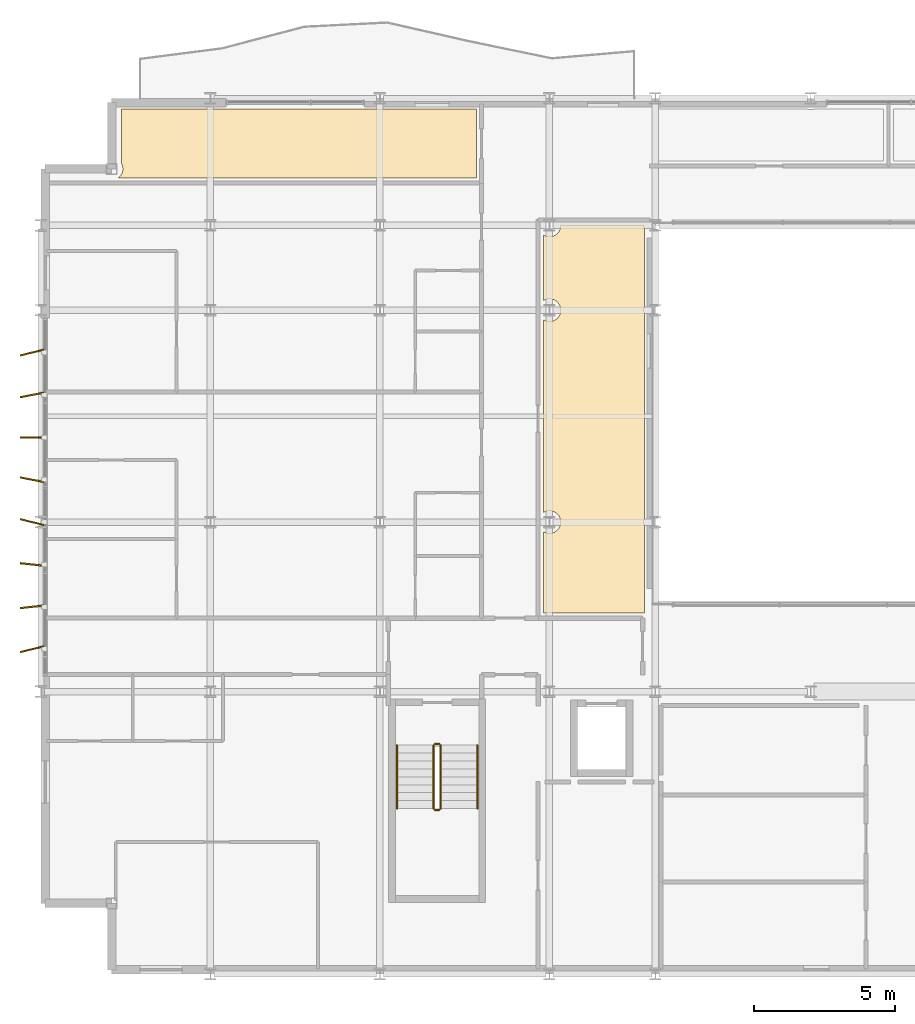
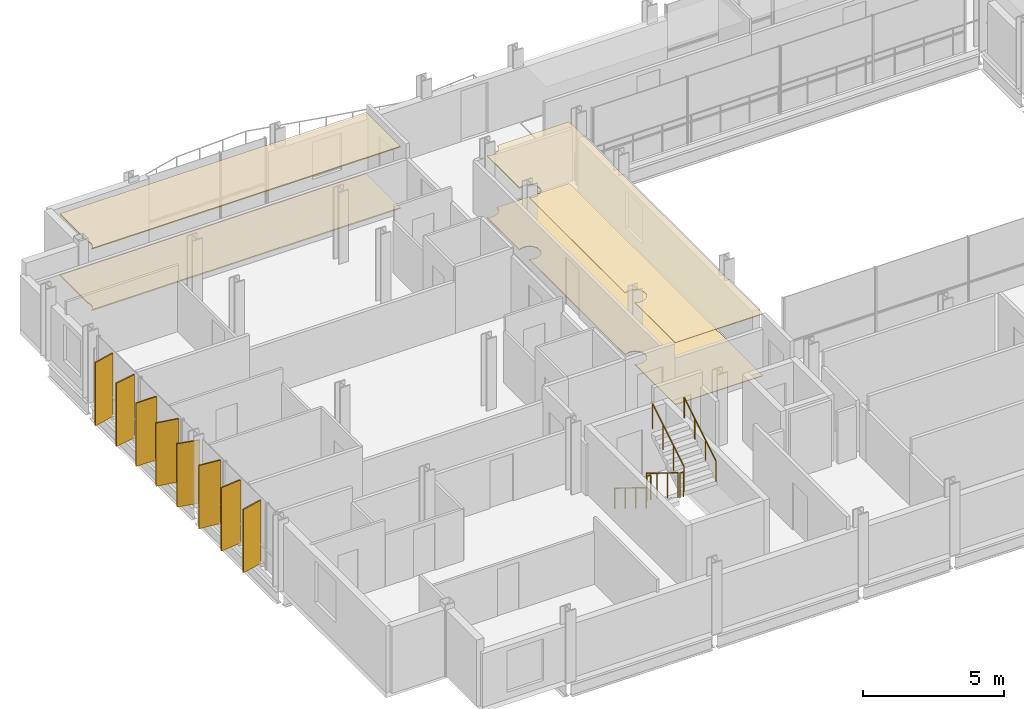
# One storey, part 36 of 38: 8 shading devices, 6 railings, 4 coverings.
"""IFC4 building model written with IfcOpenShell, lengths in metres."""

from ifc_helpers import new_model, si_unit, direction, frame, origin, origin_2d, place, context, subcontext, project, spatial, polyline, rectangle, circle, outline, extrude, material, layer, layer_set, type_object, element, save


model = new_model("IFC4")

# Units and contexts
model_context = context("Model", 3, precision=1e-05, world=origin(), true_north=direction((0.0, 1.0)))
body_context = subcontext(model_context, "Body", "Model", "MODEL_VIEW")
ifc_project = project(units=[si_unit("LENGTHUNIT", "METRE"), si_unit("AREAUNIT", "SQUARE_METRE"), si_unit("VOLUMEUNIT", "CUBIC_METRE"), si_unit("PLANEANGLEUNIT", "RADIAN"), si_unit("MASSUNIT", "GRAM", prefix="KILO")], contexts=[model_context])

# Site, building, storey
site_placement = place(None, origin())
site = spatial("IfcSite", under=ifc_project, at=site_placement, CompositionType="ELEMENT")
building_placement = place(site_placement, origin())
building = spatial("IfcBuilding", under=site, at=building_placement, Name="Brevholm Reach", CompositionType="ELEMENT")
storey_placement = place(building_placement, frame((0.0, 0.0, 166.60009765625)))
storey = spatial("IfcBuildingStorey", under=building, at=storey_placement, Name="L50", CompositionType="ELEMENT", Elevation=166.60009765625)

# Coverings
ifc_material_1 = material(Name="Perforated Mineral-Fibre Class-A Acoustic Suspended Ceiling", Category="gypsum")
ifc_layer_1 = layer(ifc_material_1, 0.044921875)
ifc_layer_set_1 = layer_set([ifc_layer_1], Name="Perforated Mineral-Fibre Class-A Acoustic Suspended Ceiling")
covering_type_1 = type_object("IfcCoveringType", Name="COV-CLG-AC", PredefinedType="CEILING", material=ifc_layer_set_1)
covering_1_placement = place(storey_placement, frame((0.0, 0.0, 2.664794921875)))
element("IfcCovering", 1, at=covering_1_placement, inside=storey, type_object=covering_type_1, Name="L50 Suspended Ceiling L50-54", PredefinedType="CEILING", context=body_context, shape_type="SweptSolid", body=[
    extrude(outline(polyline([(2.860107421875, 30.6201171875), (5.876220703125, 30.6201171875), (5.8837890625, 30.6171875), (5.922119140625, 30.607666015625), (5.960693359375, 30.601806640625), (6.0, 30.60009765625), (6.039306640625, 30.601806640625), (6.077880859375, 30.607666015625), (6.1162109375, 30.6171875), (6.123779296875, 30.6201171875), (11.876220703125, 30.6201171875), (11.8837890625, 30.6171875), (11.922119140625, 30.607666015625), (11.960693359375, 30.601806640625), (12.0, 30.60009765625), (12.039306640625, 30.601806640625), (12.077880859375, 30.607666015625), (12.1162109375, 30.6171875), (12.123779296875, 30.6201171875), (15.416015625, 30.6201171875), (15.416015625, 28.18408203125), (2.74462890625, 28.18408203125), (2.75390625, 28.19091796875), (2.78271484375, 28.21728515625), (2.80908203125, 28.24609375), (2.83251953125, 28.27783203125), (2.852783203125, 28.311279296875), (2.86962890625, 28.346923828125), (2.8828125, 28.3837890625), (2.892333984375, 28.422119140625), (2.898193359375, 28.460693359375), (2.89990234375, 28.5), (2.898193359375, 28.539306640625), (2.892333984375, 28.577880859375), (2.8828125, 28.6162109375), (2.86962890625, 28.653076171875), (2.860107421875, 28.67333984375), (2.860107421875, 30.6201171875)])), origin(), (0.0, 0.0, 1.0), 0.045166015625),
])
ifc_material_2 = material(Name="Moisture-Resistant Skimmed Gypsum Plasterboard Ceiling", Category="gypsum")
ifc_layer_2 = layer(ifc_material_2, 0.030029296875)
ifc_layer_set_2 = layer_set([ifc_layer_2], Name="Moisture-Resistant Skimmed Gypsum Plasterboard Ceiling")
covering_type_2 = type_object("IfcCoveringType", Name="COV-CLG-GYP", PredefinedType="CEILING", material=ifc_layer_set_2)
covering_2_placement = place(storey_placement, frame((0.0, 0.0, 2.679931640625)))
element("IfcCovering", 2, at=covering_2_placement, inside=storey, type_object=covering_type_2, Name="L50 Suspended Ceiling L50-52", PredefinedType="CEILING", context=body_context, shape_type="SweptSolid", body=[
    extrude(outline(polyline([(21.3701171875, 23.623779296875), (21.3671875, 23.6162109375), (21.357666015625, 23.577880859375), (21.351806640625, 23.539306640625), (21.35009765625, 23.5), (21.351806640625, 23.460693359375), (21.357666015625, 23.422119140625), (21.3671875, 23.3837890625), (21.3701171875, 23.376220703125), (21.3701171875, 16.123779296875), (21.3671875, 16.1162109375), (21.357666015625, 16.077880859375), (21.351806640625, 16.039306640625), (21.35009765625, 16.0), (21.351806640625, 15.960693359375), (21.357666015625, 15.922119140625), (21.3671875, 15.8837890625), (21.3701171875, 15.876220703125), (21.3701171875, 12.783935546875), (17.783935546875, 12.783935546875), (17.783935546875, 15.663818359375), (17.811279296875, 15.647216796875), (17.846923828125, 15.63037109375), (17.8837890625, 15.6171875), (17.922119140625, 15.607666015625), (17.960693359375, 15.601806640625), (18.0, 15.60009765625), (18.039306640625, 15.601806640625), (18.077880859375, 15.607666015625), (18.1162109375, 15.6171875), (18.153076171875, 15.63037109375), (18.188720703125, 15.647216796875), (18.22216796875, 15.66748046875), (18.25390625, 15.69091796875), (18.28271484375, 15.71728515625), (18.30908203125, 15.74609375), (18.33251953125, 15.77783203125), (18.352783203125, 15.811279296875), (18.36962890625, 15.846923828125), (18.3828125, 15.8837890625), (18.392333984375, 15.922119140625), (18.398193359375, 15.960693359375), (18.39990234375, 16.0), (18.398193359375, 16.039306640625), (18.392333984375, 16.077880859375), (18.3828125, 16.1162109375), (18.36962890625, 16.153076171875), (18.352783203125, 16.188720703125), (18.33251953125, 16.22216796875), (18.30908203125, 16.25390625), (18.28271484375, 16.28271484375), (18.25390625, 16.30908203125), (18.22216796875, 16.33251953125), (18.188720703125, 16.352783203125), (18.153076171875, 16.36962890625), (18.1162109375, 16.3828125), (18.077880859375, 16.392333984375), (18.039306640625, 16.398193359375), (18.0, 16.39990234375), (17.960693359375, 16.398193359375), (17.922119140625, 16.392333984375), (17.8837890625, 16.3828125), (17.846923828125, 16.36962890625), (17.811279296875, 16.352783203125), (17.783935546875, 16.336181640625), (17.783935546875, 23.163818359375), (17.811279296875, 23.147216796875), (17.846923828125, 23.13037109375), (17.8837890625, 23.1171875), (17.922119140625, 23.107666015625), (17.960693359375, 23.101806640625), (18.0, 23.10009765625), (18.039306640625, 23.101806640625), (18.077880859375, 23.107666015625), (18.1162109375, 23.1171875), (18.153076171875, 23.13037109375), (18.188720703125, 23.147216796875), (18.22216796875, 23.16748046875), (18.25390625, 23.19091796875), (18.28271484375, 23.21728515625), (18.30908203125, 23.24609375), (18.33251953125, 23.27783203125), (18.352783203125, 23.311279296875), (18.36962890625, 23.346923828125), (18.3828125, 23.3837890625), (18.392333984375, 23.422119140625), (18.398193359375, 23.460693359375), (18.39990234375, 23.5), (18.398193359375, 23.539306640625), (18.392333984375, 23.577880859375), (18.3828125, 23.6162109375), (18.36962890625, 23.653076171875), (18.352783203125, 23.688720703125), (18.33251953125, 23.72216796875), (18.30908203125, 23.75390625), (18.28271484375, 23.78271484375), (18.25390625, 23.80908203125), (18.22216796875, 23.83251953125), (18.188720703125, 23.852783203125), (18.153076171875, 23.86962890625), (18.1162109375, 23.8828125), (18.077880859375, 23.892333984375), (18.039306640625, 23.898193359375), (18.0, 23.89990234375), (17.960693359375, 23.898193359375), (17.922119140625, 23.892333984375), (17.8837890625, 23.8828125), (17.846923828125, 23.86962890625), (17.811279296875, 23.852783203125), (17.783935546875, 23.836181640625), (17.783935546875, 26.163818359375), (17.811279296875, 26.147216796875), (17.846923828125, 26.13037109375), (17.8837890625, 26.1171875), (17.922119140625, 26.107666015625), (17.960693359375, 26.101806640625), (18.0, 26.10009765625), (18.039306640625, 26.101806640625), (18.077880859375, 26.107666015625), (18.1162109375, 26.1171875), (18.153076171875, 26.13037109375), (18.188720703125, 26.147216796875), (18.22216796875, 26.16748046875), (18.25390625, 26.19091796875), (18.28271484375, 26.21728515625), (18.30908203125, 26.24609375), (18.33251953125, 26.27783203125), (18.352783203125, 26.311279296875), (18.36962890625, 26.346923828125), (18.3828125, 26.3837890625), (18.392333984375, 26.422119140625), (18.398193359375, 26.460693359375), (18.39990234375, 26.5), (18.399169921875, 26.51611328125), (21.350830078125, 26.51611328125), (21.35009765625, 26.5), (21.351806640625, 26.460693359375), (21.357666015625, 26.422119140625), (21.3671875, 26.3837890625), (21.3701171875, 26.376220703125), (21.3701171875, 23.623779296875)])), origin(), (0.0, 0.0, 1.0), 0.030029296875),
])
ifc_material_3 = material(Name="Sprung Beech Sports Hall Shock-Absorbing Floor System", Category="timber")
ifc_layer_3 = layer(ifc_material_3, 0.052001953125)
ifc_layer_set_3 = layer_set([ifc_layer_3], Name="Sprung Beech Sports Hall Shock-Absorbing Floor System")
covering_type_3 = type_object("IfcCoveringType", Name="COV-FLR-SPR", PredefinedType="FLOORING", material=ifc_layer_set_3)
covering_3_placement = place(storey_placement, origin())
element("IfcCovering", 3, at=covering_3_placement, inside=storey, type_object=covering_type_3, Name="L50 Sprung Sports Floor Finish L50-54", PredefinedType="FLOORING", context=body_context, shape_type="SweptSolid", body=[
    extrude(outline(polyline([(2.860107421875, 30.6201171875), (5.876220703125, 30.6201171875), (5.8837890625, 30.6171875), (5.922119140625, 30.607666015625), (5.960693359375, 30.601806640625), (6.0, 30.60009765625), (6.039306640625, 30.601806640625), (6.077880859375, 30.607666015625), (6.1162109375, 30.6171875), (6.123779296875, 30.6201171875), (11.876220703125, 30.6201171875), (11.8837890625, 30.6171875), (11.922119140625, 30.607666015625), (11.960693359375, 30.601806640625), (12.0, 30.60009765625), (12.039306640625, 30.601806640625), (12.077880859375, 30.607666015625), (12.1162109375, 30.6171875), (12.123779296875, 30.6201171875), (15.416015625, 30.6201171875), (15.416015625, 28.18408203125), (2.74462890625, 28.18408203125), (2.75390625, 28.19091796875), (2.78271484375, 28.21728515625), (2.80908203125, 28.24609375), (2.83251953125, 28.27783203125), (2.852783203125, 28.311279296875), (2.86962890625, 28.346923828125), (2.8828125, 28.3837890625), (2.892333984375, 28.422119140625), (2.898193359375, 28.460693359375), (2.89990234375, 28.5), (2.898193359375, 28.539306640625), (2.892333984375, 28.577880859375), (2.8828125, 28.6162109375), (2.86962890625, 28.653076171875), (2.860107421875, 28.67333984375), (2.860107421875, 30.6201171875)])), origin(), (0.0, 0.0, 1.0), 0.052001953125),
])
ifc_material_4 = material(Name="Honed Portland-Aggregate Resin Terrazzo Flooring", Category="concrete")
ifc_layer_4 = layer(ifc_material_4, 0.031982421875)
ifc_layer_set_4 = layer_set([ifc_layer_4], Name="Honed Portland-Aggregate Resin Terrazzo Flooring")
covering_type_4 = type_object("IfcCoveringType", Name="COV-FLR-TRZ", PredefinedType="FLOORING", material=ifc_layer_set_4)
covering_4_placement = place(storey_placement, origin())
element("IfcCovering", 4, at=covering_4_placement, inside=storey, type_object=covering_type_4, Name="L50 Floor Finish L50-52", PredefinedType="FLOORING", context=body_context, shape_type="SweptSolid", body=[
    extrude(outline(polyline([(21.3701171875, 23.623779296875), (21.3671875, 23.6162109375), (21.357666015625, 23.577880859375), (21.351806640625, 23.539306640625), (21.35009765625, 23.5), (21.351806640625, 23.460693359375), (21.357666015625, 23.422119140625), (21.3671875, 23.3837890625), (21.3701171875, 23.376220703125), (21.3701171875, 16.123779296875), (21.3671875, 16.1162109375), (21.357666015625, 16.077880859375), (21.351806640625, 16.039306640625), (21.35009765625, 16.0), (21.351806640625, 15.960693359375), (21.357666015625, 15.922119140625), (21.3671875, 15.8837890625), (21.3701171875, 15.876220703125), (21.3701171875, 12.783935546875), (17.783935546875, 12.783935546875), (17.783935546875, 15.663818359375), (17.811279296875, 15.647216796875), (17.846923828125, 15.63037109375), (17.8837890625, 15.6171875), (17.922119140625, 15.607666015625), (17.960693359375, 15.601806640625), (18.0, 15.60009765625), (18.039306640625, 15.601806640625), (18.077880859375, 15.607666015625), (18.1162109375, 15.6171875), (18.153076171875, 15.63037109375), (18.188720703125, 15.647216796875), (18.22216796875, 15.66748046875), (18.25390625, 15.69091796875), (18.28271484375, 15.71728515625), (18.30908203125, 15.74609375), (18.33251953125, 15.77783203125), (18.352783203125, 15.811279296875), (18.36962890625, 15.846923828125), (18.3828125, 15.8837890625), (18.392333984375, 15.922119140625), (18.398193359375, 15.960693359375), (18.39990234375, 16.0), (18.398193359375, 16.039306640625), (18.392333984375, 16.077880859375), (18.3828125, 16.1162109375), (18.36962890625, 16.153076171875), (18.352783203125, 16.188720703125), (18.33251953125, 16.22216796875), (18.30908203125, 16.25390625), (18.28271484375, 16.28271484375), (18.25390625, 16.30908203125), (18.22216796875, 16.33251953125), (18.188720703125, 16.352783203125), (18.153076171875, 16.36962890625), (18.1162109375, 16.3828125), (18.077880859375, 16.392333984375), (18.039306640625, 16.398193359375), (18.0, 16.39990234375), (17.960693359375, 16.398193359375), (17.922119140625, 16.392333984375), (17.8837890625, 16.3828125), (17.846923828125, 16.36962890625), (17.811279296875, 16.352783203125), (17.783935546875, 16.336181640625), (17.783935546875, 23.163818359375), (17.811279296875, 23.147216796875), (17.846923828125, 23.13037109375), (17.8837890625, 23.1171875), (17.922119140625, 23.107666015625), (17.960693359375, 23.101806640625), (18.0, 23.10009765625), (18.039306640625, 23.101806640625), (18.077880859375, 23.107666015625), (18.1162109375, 23.1171875), (18.153076171875, 23.13037109375), (18.188720703125, 23.147216796875), (18.22216796875, 23.16748046875), (18.25390625, 23.19091796875), (18.28271484375, 23.21728515625), (18.30908203125, 23.24609375), (18.33251953125, 23.27783203125), (18.352783203125, 23.311279296875), (18.36962890625, 23.346923828125), (18.3828125, 23.3837890625), (18.392333984375, 23.422119140625), (18.398193359375, 23.460693359375), (18.39990234375, 23.5), (18.398193359375, 23.539306640625), (18.392333984375, 23.577880859375), (18.3828125, 23.6162109375), (18.36962890625, 23.653076171875), (18.352783203125, 23.688720703125), (18.33251953125, 23.72216796875), (18.30908203125, 23.75390625), (18.28271484375, 23.78271484375), (18.25390625, 23.80908203125), (18.22216796875, 23.83251953125), (18.188720703125, 23.852783203125), (18.153076171875, 23.86962890625), (18.1162109375, 23.8828125), (18.077880859375, 23.892333984375), (18.039306640625, 23.898193359375), (18.0, 23.89990234375), (17.960693359375, 23.898193359375), (17.922119140625, 23.892333984375), (17.8837890625, 23.8828125), (17.846923828125, 23.86962890625), (17.811279296875, 23.852783203125), (17.783935546875, 23.836181640625), (17.783935546875, 26.163818359375), (17.811279296875, 26.147216796875), (17.846923828125, 26.13037109375), (17.8837890625, 26.1171875), (17.922119140625, 26.107666015625), (17.960693359375, 26.101806640625), (18.0, 26.10009765625), (18.039306640625, 26.101806640625), (18.077880859375, 26.107666015625), (18.1162109375, 26.1171875), (18.153076171875, 26.13037109375), (18.188720703125, 26.147216796875), (18.22216796875, 26.16748046875), (18.25390625, 26.19091796875), (18.28271484375, 26.21728515625), (18.30908203125, 26.24609375), (18.33251953125, 26.27783203125), (18.352783203125, 26.311279296875), (18.36962890625, 26.346923828125), (18.3828125, 26.3837890625), (18.392333984375, 26.422119140625), (18.398193359375, 26.460693359375), (18.39990234375, 26.5), (18.399169921875, 26.51611328125), (21.350830078125, 26.51611328125), (21.35009765625, 26.5), (21.351806640625, 26.460693359375), (21.357666015625, 26.422119140625), (21.3671875, 26.3837890625), (21.3701171875, 26.376220703125), (21.3701171875, 23.623779296875)])), origin(), (0.0, 0.0, 1.0), 0.031982421875),
])

# Railings
ifc_material_5 = material(Name="Brushed Stainless Steel EN 1.4401 Continuous Handrail", Category="steel")
railing_type_1 = type_object("IfcRailingType", Name="RAL-HND-950", PredefinedType="HANDRAIL", material=ifc_material_5)
railing_1_placement = place(storey_placement, frame((12.60009765625, 8.10009765625, 0.172119140625)))
element("IfcRailing", 5, at=railing_1_placement, inside=storey, type_object=railing_type_1, Name="L50 ST-1 stair handrail 1", PredefinedType="HANDRAIL", context=body_context, shape_type="SweptSolid", body=[
    extrude(circle(Radius=0.02392578125, at=origin_2d()), frame((0.0, 0.0, 0.8857421875), z_axis=(0.0, -0.85178898068, 0.523885037382), x_axis=(1.0, 0.0, 0.0)), (0.0, 0.0, 1.0), 2.629638671875),
    extrude(circle(Radius=0.02099609375, at=origin_2d()), origin(), (0.0, 0.0, 1.0), 0.86181640625),
    extrude(circle(Radius=0.02099609375, at=origin_2d()), frame((0.0, -0.74658203125, 0.459228515625)), (0.0, 0.0, 1.0), 0.86181640625),
    extrude(circle(Radius=0.02099609375, at=origin_2d()), frame((0.0, -1.493408203125, 0.91845703125)), (0.0, 0.0, 1.0), 0.86181640625),
    extrude(circle(Radius=0.02099609375, at=origin_2d()), frame((0.0, -2.239990234375, 1.377685546875)), (0.0, 0.0, 1.0), 0.86181640625),
])
railing_2_placement = place(storey_placement, frame((15.449951171875, 5.860107421875, 1.72216796875)))
element("IfcRailing", 6, at=railing_2_placement, inside=storey, type_object=railing_type_1, Name="L50 ST-1 stair handrail 2", PredefinedType="HANDRAIL", context=body_context, shape_type="SweptSolid", body=[
    extrude(circle(Radius=0.02392578125, at=origin_2d()), frame((0.0, 0.0, 0.8857421875), z_axis=(0.0, 0.85178898068, 0.523885037382), x_axis=(-1.0, 0.0, 0.0)), (0.0, 0.0, 1.0), 2.629638671875),
    extrude(circle(Radius=0.02099609375, at=origin_2d()), origin(), (0.0, 0.0, 1.0), 0.86181640625),
    extrude(circle(Radius=0.02099609375, at=origin_2d()), frame((0.0, 0.74658203125, 0.459228515625)), (0.0, 0.0, 1.0), 0.86181640625),
    extrude(circle(Radius=0.02099609375, at=origin_2d()), frame((0.0, 1.493408203125, 0.91845703125)), (0.0, 0.0, 1.0), 0.86181640625),
    extrude(circle(Radius=0.02099609375, at=origin_2d()), frame((0.0, 2.239990234375, 1.377685546875)), (0.0, 0.0, 1.0), 0.86181640625),
])
ifc_material_6 = material(Name="Painted Tubular Galvanised Steel S275JR Stair Guard", Category="steel")
railing_type_2 = type_object("IfcRailingType", Name="RAL-STG-1120", PredefinedType="BALUSTRADE", material=ifc_material_6)
railing_3_placement = place(storey_placement, frame((13.89990234375, 8.10009765625, 0.172119140625)))
element("IfcRailing", 7, at=railing_3_placement, inside=storey, type_object=railing_type_2, Name="L50 ST-1 stair guard 1", PredefinedType="BALUSTRADE", context=body_context, shape_type="SweptSolid", body=[
    extrude(circle(Radius=0.02392578125, at=origin_2d()), frame((0.0, 0.0, 1.076171875), z_axis=(0.0, -0.85178898068, 0.523885037382), x_axis=(1.0, 0.0, 0.0)), (0.0, 0.0, 1.0), 2.629638671875),
    extrude(circle(Radius=0.02099609375, at=origin_2d()), origin(), (0.0, 0.0, 1.0), 1.052001953125),
    extrude(circle(Radius=0.02099609375, at=origin_2d()), frame((0.0, -0.74658203125, 0.459228515625)), (0.0, 0.0, 1.0), 1.052001953125),
    extrude(circle(Radius=0.02099609375, at=origin_2d()), frame((0.0, -1.493408203125, 0.91845703125)), (0.0, 0.0, 1.0), 1.052001953125),
    extrude(circle(Radius=0.02099609375, at=origin_2d()), frame((0.0, -2.239990234375, 1.377685546875)), (0.0, 0.0, 1.0), 1.052001953125),
])
railing_4_placement = place(storey_placement, frame((13.949951171875, 5.81005859375, 1.5498046875)))
element("IfcRailing", 8, at=railing_4_placement, inside=storey, type_object=railing_type_2, Name="L50 ST-1 stair guard 2", PredefinedType="BALUSTRADE", context=body_context, shape_type="SweptSolid", body=[
    extrude(circle(Radius=0.02392578125, at=origin_2d()), frame((0.0, 0.0, 1.076171875), z_axis=(1.0, 0.0, 0.0), x_axis=(0.0, 1.0, 0.0)), (0.0, 0.0, 1.0), 0.150146484375),
    extrude(circle(Radius=0.02099609375, at=origin_2d()), origin(), (0.0, 0.0, 1.0), 1.052001953125),
    extrude(circle(Radius=0.02099609375, at=origin_2d()), frame((0.150146484375, 0.0, 0.0)), (0.0, 0.0, 1.0), 1.052001953125),
])
railing_5_placement = place(storey_placement, frame((14.14990234375, 5.860107421875, 1.72216796875)))
element("IfcRailing", 9, at=railing_5_placement, inside=storey, type_object=railing_type_2, Name="L50 ST-1 stair guard 3", PredefinedType="BALUSTRADE", context=body_context, shape_type="SweptSolid", body=[
    extrude(circle(Radius=0.02392578125, at=origin_2d()), frame((0.0, 0.0, 1.076171875), z_axis=(0.0, 0.85178898068, 0.523885037382), x_axis=(-1.0, 0.0, 0.0)), (0.0, 0.0, 1.0), 2.629638671875),
    extrude(circle(Radius=0.02099609375, at=origin_2d()), origin(), (0.0, 0.0, 1.0), 1.052001953125),
    extrude(circle(Radius=0.02099609375, at=origin_2d()), frame((0.0, 0.74658203125, 0.459228515625)), (0.0, 0.0, 1.0), 1.052001953125),
    extrude(circle(Radius=0.02099609375, at=origin_2d()), frame((0.0, 1.493408203125, 0.91845703125)), (0.0, 0.0, 1.0), 1.052001953125),
    extrude(circle(Radius=0.02099609375, at=origin_2d()), frame((0.0, 2.239990234375, 1.377685546875)), (0.0, 0.0, 1.0), 1.052001953125),
])
railing_6_placement = place(storey_placement, frame((13.949951171875, 8.14990234375, 0.0)))
element("IfcRailing", 10, at=railing_6_placement, inside=storey, type_object=railing_type_2, Name="L50 ST-1 stair guard 4", PredefinedType="BALUSTRADE", context=body_context, shape_type="SweptSolid", body=[
    extrude(circle(Radius=0.02392578125, at=origin_2d()), frame((0.0, 0.0, 1.076171875), z_axis=(1.0, 0.0, 0.0), x_axis=(0.0, 1.0, 0.0)), (0.0, 0.0, 1.0), 0.150146484375),
    extrude(circle(Radius=0.02099609375, at=origin_2d()), origin(), (0.0, 0.0, 1.0), 1.052001953125),
    extrude(circle(Radius=0.02099609375, at=origin_2d()), frame((0.150146484375, 0.0, 0.0)), (0.0, 0.0, 1.0), 1.052001953125),
])

# Shading devices
ifc_material_7 = material(Name="Perforated Champagne-Bronze Anodised Aluminium", Category="aluminium")
ifc_layer_5 = layer(ifc_material_7, 0.054931640625)
ifc_layer_set_5 = layer_set([ifc_layer_5], Name="Perforated Champagne-Bronze Anodised Aluminium")
shading_device_type = type_object("IfcShadingDeviceType", Name="SHD-FIN-850", PredefinedType="USERDEFINED", material=ifc_layer_set_5)
for number, where, z_axis, x_axis, name in (
    (11, (-0.31494140625, 11.5, 0.06982421875), (0.0, 0.0, 1.0), (-0.97171834906, -0.236142859517, 0.0), "L50 Perforated Solar Screen Fin 1"),
    (12, (-0.31494140625, 13.0, 0.06982421875), (0.0, 0.0, 1.0), (-0.994311949239, -0.106507030756, 0.0), "L50 Perforated Solar Screen Fin 2"),
    (13, (-0.31494140625, 14.5, 0.06982421875), (0.0, 0.0, 1.0), (-0.994459691829, 0.105118606002, 0.0), "L50 Perforated Solar Screen Fin 3"),
    (14, (-0.31494140625, 16.0, 0.06982421875), (0.0, 0.0, 1.0), (-0.971800719266, 0.235803651445, 0.0), "L50 Perforated Solar Screen Fin 4"),
    (15, (-0.31494140625, 17.5, 0.06982421875), (0.0, 0.0, 1.0), (-0.981716991072, 0.190346393295, 0.0), "L50 Perforated Solar Screen Fin 5"),
    (16, (-0.31494140625, 19.0, 0.06982421875), (0.0, 0.0, 1.0), (-0.99999970513, 0.000767944795, 0.0), "L50 Perforated Solar Screen Fin 6"),
    (17, (-0.31494140625, 20.5, 0.06982421875), (0.0, 0.0, 1.0), (-0.981899258154, -0.189403925081, 0.0), "L50 Perforated Solar Screen Fin 7"),
    (18, (-0.31494140625, 22.0, 0.06982421875), (0.0, 0.0, 1.0), (-0.97171834906, -0.236142859517, 0.0), "L50 Perforated Solar Screen Fin 8"),
):
    element("IfcShadingDevice", number, at=place(storey_placement, frame(where, z_axis=z_axis, x_axis=x_axis)), inside=storey, type_object=shading_device_type, Name=name, ObjectType="SCREEN", PredefinedType="USERDEFINED", context=body_context, shape_type="SweptSolid", body=[
        extrude(rectangle(XDim=0.85009765625, YDim=0.054931640625, at=origin_2d()), origin(), (0.0, 0.0, 1.0), 2.739990234375),
    ])

save(model, "model.ifc")
